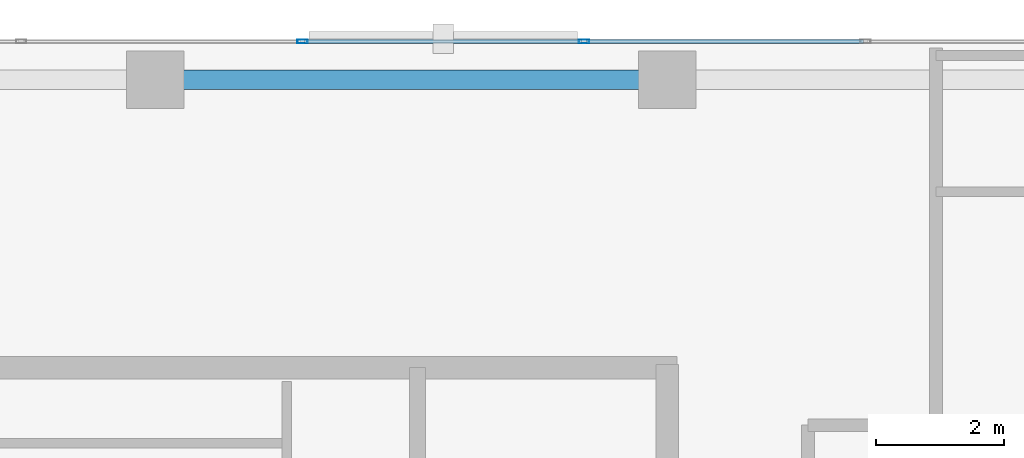
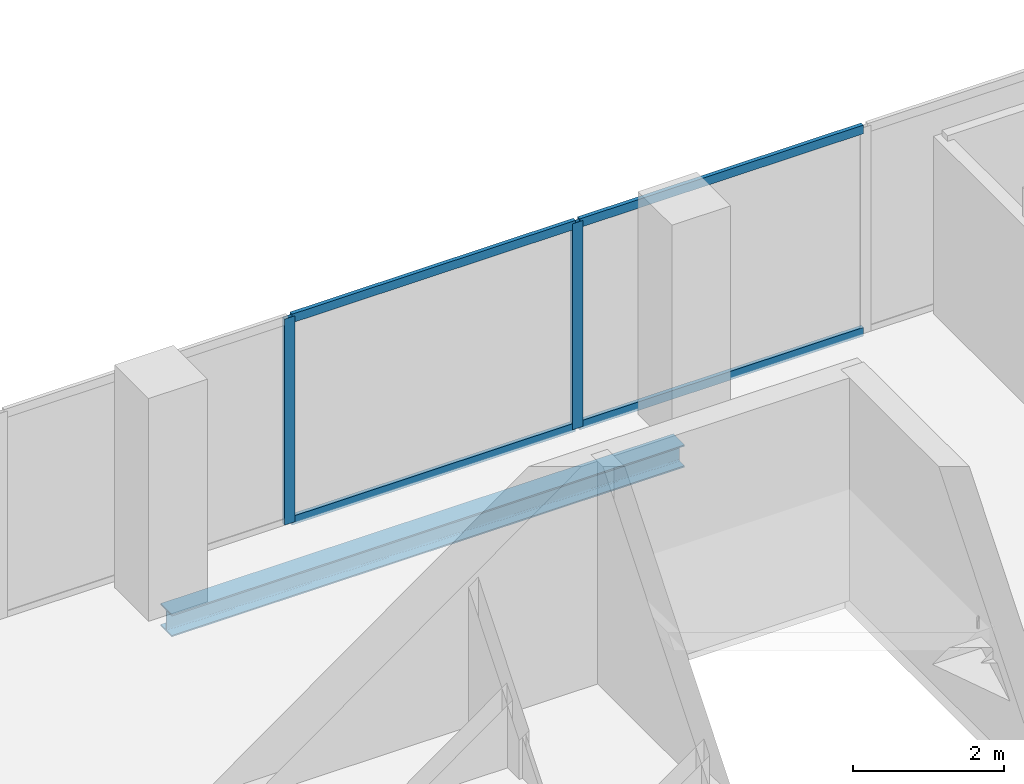
# One storey, part 24 of 34: 6 members, 1 beam, 1 element without a shape of its own.
"""IFC4 building model written with IfcOpenShell, lengths in metres."""

import ifcopenshell
import ifcopenshell.guid

model = None  # the IFC model being written
_history = None  # IfcOwnerHistory: only IFC2X3 demands one
_inside = {}  # id of a spatial element -> (the spatial element, [elements in it])
_under = {}  # id of a project, library or spatial element -> (it, [spatial elements below it])
_declared = {}  # id of a project -> (the project, [libraries it declares])
_typed = {}  # id of a type object -> (the type object, [elements of that type])
_made_of = {}  # id of a material, layer set ... -> (it, [elements and type objects made of it])


def new_model(schema):
    """Start an empty IFC model of exactly this schema.

    Asked for "IFC4X3", IfcOpenShell would pick the latest addendum, in which some entities
    have other attributes; the version numbers below select the first issue.
    IFC2X3 requires an IfcOwnerHistory on every rooted entity: one is made here for all.
    """
    global model, _history
    if schema == "IFC4X3":
        model = ifcopenshell.file(schema_version=(4, 3, 0, 0))
    else:
        model = ifcopenshell.file(schema=schema)
    _inside.clear()
    _under.clear()
    _declared.clear()
    _typed.clear()
    _made_of.clear()
    _history = None
    if model.schema == "IFC2X3":
        org = make("IfcOrganization", Name="unknown")
        user = make(
            "IfcPersonAndOrganization",
            ThePerson=make("IfcPerson", FamilyName="unknown"),
            TheOrganization=org,
        )
        app = make(
            "IfcApplication",
            ApplicationDeveloper=org,
            Version="unknown",
            ApplicationFullName="unknown",
            ApplicationIdentifier="unknown",
        )
        _history = make(
            "IfcOwnerHistory",
            OwningUser=user,
            OwningApplication=app,
            ChangeAction="ADDED",
            CreationDate=0,
        )
    return model


def make(cls, **values):
    """One entity of the class cls with the attributes given. An attribute that is None is left unset."""
    return model.create_entity(
        cls, **{name: value for name, value in values.items() if value is not None}
    )


def rooted(cls, **values):
    """An entity with a GlobalId (a new one), such as an element, a storey or a relation."""
    return make(cls, GlobalId=ifcopenshell.guid.new(), OwnerHistory=_history, **values)


def si_unit(unit_type, name, prefix=None):
    """IfcSIUnit, for example si_unit("LENGTHUNIT", "METRE", prefix="MILLI")."""
    return make("IfcSIUnit", UnitType=unit_type, Prefix=prefix, Name=name)


def assignment(units):
    """IfcUnitAssignment: the units of a project."""
    return None if units is None else make("IfcUnitAssignment", Units=units)


def point(xyz):
    """IfcCartesianPoint."""
    return None if xyz is None else make("IfcCartesianPoint", Coordinates=xyz)


def direction(xyz):
    """IfcDirection."""
    return None if xyz is None else make("IfcDirection", DirectionRatios=xyz)


def frame(location, z_axis=None, x_axis=None):
    """IfcAxis2Placement3D, a coordinate frame: its origin and axes. An axis left out is left unset."""
    return make(
        "IfcAxis2Placement3D",
        Location=point(location),
        Axis=direction(z_axis),
        RefDirection=direction(x_axis),
    )


def frame_2d(location, x_axis=None):
    """IfcAxis2Placement2D, a coordinate frame in the plane: its origin and x axis."""
    return make(
        "IfcAxis2Placement2D", Location=point(location), RefDirection=direction(x_axis)
    )


def origin():
    """The frame at (0, 0, 0) with its axes left unset."""
    return frame((0.0, 0.0, 0.0))


def origin_2d():
    """The frame at (0, 0) in the plane with its x axis left unset."""
    return frame_2d((0.0, 0.0))


def place(relative_to, where):
    """IfcLocalPlacement: puts the frame where relative to a parent placement (None: the world)."""
    return make(
        "IfcLocalPlacement", PlacementRelTo=relative_to, RelativePlacement=where
    )


def context(
    kind, dimensions, precision=None, world=None, true_north=None, identifier=None
):
    """IfcGeometricRepresentationContext, for example the 3D "Model" context."""
    return make(
        "IfcGeometricRepresentationContext",
        ContextIdentifier=identifier,
        ContextType=kind,
        CoordinateSpaceDimension=dimensions,
        Precision=precision,
        WorldCoordinateSystem=world,
        TrueNorth=true_north,
    )


def subcontext(parent, identifier, kind, view, scale=None):
    """IfcGeometricRepresentationSubContext, for example "Body" below "Model"."""
    return make(
        "IfcGeometricRepresentationSubContext",
        ContextIdentifier=identifier,
        ContextType=kind,
        ParentContext=parent,
        TargetScale=scale,
        TargetView=view,
    )


def project(units=None, contexts=None):
    """IfcProject with its units and contexts."""
    return rooted(
        "IfcProject",
        Name="project",
        RepresentationContexts=contexts,
        UnitsInContext=assignment(units),
    )


def spatial(cls, under=None, at=None, **own):
    """A site, building, storey or space (cls), placed at a placement, below another one or the project."""
    s = rooted(cls, ObjectPlacement=at, **own)
    if under is not None:
        _under.setdefault(under.id(), (under, []))[1].append(s)
    return s


def profile(cls, at=None, kind="AREA", **sizes):
    """A parametric profile (cls). Its sizes go by their IFC names, for example OverallWidth=200.0."""
    return make(cls, ProfileType=kind, Position=at, **sizes)


def hollow_rectangle(**sizes):
    """IfcRectangleHollowProfileDef."""
    return profile("IfcRectangleHollowProfileDef", **sizes)


def i_section(**sizes):
    """IfcIShapeProfileDef."""
    return profile("IfcIShapeProfileDef", **sizes)


def extrude(swept, where, along, depth):
    """IfcExtrudedAreaSolid: the profile swept, set in the frame where, extruded along a direction by depth."""
    return make(
        "IfcExtrudedAreaSolid",
        SweptArea=swept,
        Position=where,
        ExtrudedDirection=direction(along),
        Depth=depth,
    )


def shape(context_of_items, identifier, shape_type, items):
    """IfcShapeRepresentation: the items that make up one representation, for example the "Body"."""
    return make(
        "IfcShapeRepresentation",
        ContextOfItems=context_of_items,
        RepresentationIdentifier=identifier,
        RepresentationType=shape_type,
        Items=items,
    )


def material(Name=None, Category=None):
    """IfcMaterial."""
    return make("IfcMaterial", Name=Name, Category=Category)


def layer(
    of_material, thickness, ventilated=None, Name=None, Category=None, Priority=None
):
    """IfcMaterialLayer: one layer of a wall or slab, of a material (None: an air gap)."""
    return make(
        "IfcMaterialLayer",
        Material=of_material,
        LayerThickness=thickness,
        IsVentilated=ventilated,
        Name=Name,
        Category=Category,
        Priority=Priority,
    )


def layer_set(layers, Name=None):
    """IfcMaterialLayerSet."""
    return make("IfcMaterialLayerSet", MaterialLayers=layers, LayerSetName=Name)


def material_profile(
    of_material, cross_section, Name=None, Category=None, Priority=None
):
    """IfcMaterialProfile: a cross section and its material."""
    return make(
        "IfcMaterialProfile",
        Name=Name,
        Material=of_material,
        Profile=cross_section,
        Priority=Priority,
        Category=Category,
    )


def profile_set(profiles, Name=None, composite=None):
    """IfcMaterialProfileSet."""
    return make(
        "IfcMaterialProfileSet",
        Name=Name,
        MaterialProfiles=profiles,
        CompositeProfile=composite,
    )


def made_of(thing, what):
    """Note that an element or type object is made of a material, layer set ...; save() writes the relation."""
    if what is not None:
        _made_of.setdefault(what.id(), (what, []))[1].append(thing)
    return thing


def type_object(cls, material=None, **own):
    """A type object (cls), such as IfcWallType, which elements share."""
    return made_of(rooted(cls, **own), material)


def element(
    cls,
    number,
    at=None,
    inside=None,
    cuts=None,
    type_object=None,
    material=None,
    context=None,
    identifier="Body",
    shape_type=None,
    held_by="IfcProductDefinitionShape",
    body=None,
    shapes=None,
    **own,
):
    """One element of the class cls, such as IfcWall. Its Tag is "e" and its number.

    at: its placement. inside: the storey or other place that contains it. cuts: it is an
    opening in that element (IfcRelVoidsElement). A single representation is given by context,
    identifier, shape_type and body (its items); several are given by shapes. held_by: the class
    of the entity that holds the representations. save() writes the other relations.
    """
    e = rooted(cls, Tag="e%d" % number, ObjectPlacement=at, **own)
    if body is not None:
        shapes = [shape(context, identifier, shape_type, body)]
    if shapes is not None:
        e.Representation = make(held_by, Representations=shapes)
    if inside is not None:
        _inside.setdefault(inside.id(), (inside, []))[1].append(e)
    if cuts is not None:
        rooted(
            "IfcRelVoidsElement", RelatingBuildingElement=cuts, RelatedOpeningElement=e
        )
    if type_object is not None:
        _typed.setdefault(type_object.id(), (type_object, []))[1].append(e)
    return made_of(e, material)


def aggregate(whole, parts):
    """IfcRelAggregates: a whole, such as a stair, and the parts it consists of."""
    return rooted("IfcRelAggregates", RelatingObject=whole, RelatedObjects=parts)


def save(model, path):
    """Write the relations noted so far, then the file.

    IfcRelAggregates (storeys below a building ...), IfcRelContainedInSpatialStructure (elements
    in a storey), IfcRelDefinesByType, IfcRelAssociatesMaterial and IfcRelDeclares: one each for
    every whole, place, type object, material and project.
    """
    for whole, parts in _under.values():
        aggregate(whole, parts)
    for where, things in _inside.values():
        rooted(
            "IfcRelContainedInSpatialStructure",
            RelatedElements=things,
            RelatingStructure=where,
        )
    for kind, things in _typed.values():
        rooted("IfcRelDefinesByType", RelatedObjects=things, RelatingType=kind)
    for what, things in _made_of.values():
        rooted("IfcRelAssociatesMaterial", RelatedObjects=things, RelatingMaterial=what)
    for by, libraries in _declared.values():
        rooted("IfcRelDeclares", RelatingContext=by, RelatedDefinitions=libraries)
    model.write(path)


model = new_model("IFC4")

# Units and contexts
model_context = context("Model", 3, precision=1e-05, world=origin(), true_north=direction((0.0, 1.0)))
body_context = subcontext(model_context, "Body", "Model", "MODEL_VIEW")
ifc_project = project(units=[si_unit("LENGTHUNIT", "METRE"), si_unit("AREAUNIT", "SQUARE_METRE"), si_unit("VOLUMEUNIT", "CUBIC_METRE"), si_unit("PLANEANGLEUNIT", "RADIAN"), si_unit("MASSUNIT", "GRAM", prefix="KILO")], contexts=[model_context])

# Site, building, storey
site_placement = place(None, origin())
site = spatial("IfcSite", under=ifc_project, at=site_placement, CompositionType="ELEMENT")
building_placement = place(site_placement, origin())
building = spatial("IfcBuilding", under=site, at=building_placement, Name="Catumbela Crestline Tower", CompositionType="ELEMENT")
storey_placement = place(building_placement, frame((0.0, 0.0, 111.6)))
storey = spatial("IfcBuildingStorey", under=building, at=storey_placement, Name="L28", CompositionType="ELEMENT", Elevation=111.6)

# Curtain wall, members
ifc_material_1 = material(Name="Aluminium alloy AW-6060-T66", Category="aluminium")
ifc_layer = layer(ifc_material_1, 0.18, Name="Aluminium alloy AW-6060-T66")
ifc_layer_set = layer_set([ifc_layer], Name="Aluminium alloy AW-6060-T66")
curtain_wall_type = type_object("IfcCurtainWallType", Name="CWU-Z2", PredefinedType="USERDEFINED", material=ifc_layer_set)
curtain_wall_placement = place(storey_placement, origin())
curtain_wall = element("IfcCurtainWall", 1, at=curtain_wall_placement, inside=storey, type_object=curtain_wall_type, Name="L28 Unitised Curtain Wall CW-L28-E7S1", ObjectType="UNITISED", PredefinedType="USERDEFINED")
ifc_material_profile_1 = material_profile(ifc_material_1, hollow_rectangle(XDim=0.06, YDim=0.16, WallThickness=0.004, at=origin_2d()), Name="ALU 160x60x4")
ifc_profile_set_1 = profile_set([ifc_material_profile_1], Name="Aluminium alloy AW-6060-T66")
member_type_1 = type_object("IfcMemberType", Name="MUL-160X60", PredefinedType="MULLION", material=ifc_profile_set_1)
member_1_placement = place(storey_placement, frame((38.7, 48.0, 0.0), z_axis=(0.0, 0.0, 1.0), x_axis=(0.0, -1.0, 0.0)))
member_1 = element("IfcMember", 2, at=member_1_placement, type_object=member_type_1, Name="CWU-Z2 mullion 3", PredefinedType="MULLION", context=body_context, shape_type="SweptSolid", body=[
    extrude(hollow_rectangle(XDim=0.06, YDim=0.16, WallThickness=0.004, at=origin_2d()), origin(), (0.0, 0.0, 1.0), 3.33),
])
member_2_placement = place(storey_placement, frame((34.3, 48.0, 0.0), z_axis=(0.0, 0.0, 1.0), x_axis=(0.0, -1.0, 0.0)))
member_2 = element("IfcMember", 3, at=member_2_placement, type_object=member_type_1, Name="CWU-Z2 mullion 4", PredefinedType="MULLION", context=body_context, shape_type="SweptSolid", body=[
    extrude(hollow_rectangle(XDim=0.06, YDim=0.16, WallThickness=0.004, at=origin_2d()), origin(), (0.0, 0.0, 1.0), 3.33),
])

# Beam
ifc_material_2 = material(Name="Structural steel S355J2", Category="steel")
ifc_material_profile_2 = material_profile(ifc_material_2, i_section(OverallWidth=0.3, OverallDepth=0.36, WebThickness=0.0125, FlangeThickness=0.0225, FilletRadius=0.027, at=origin_2d()), Name="HEB 360")
ifc_profile_set_2 = profile_set([ifc_material_profile_2], Name="Structural steel S355J2")
beam_type = type_object("IfcBeamType", Name="BS-HEB360", PredefinedType="SPANDREL", material=ifc_profile_set_2)
beam_placement = place(storey_placement, frame((32.08, 47.4, -0.44), z_axis=(1.0, 0.0, 0.0), x_axis=(0.0, 1.0, 0.0)))
element("IfcBeam", 4, at=beam_placement, inside=storey, type_object=beam_type, Name="L28 Spandrel SP-L28-NF20", PredefinedType="SPANDREL", context=body_context, shape_type="SweptSolid", body=[
    extrude(i_section(OverallWidth=0.3, OverallDepth=0.36, WebThickness=0.0125, FlangeThickness=0.0225, FilletRadius=0.027, at=origin_2d()), origin(), (0.0, 0.0, 1.0), 7.84),
])

# Member
ifc_material_profile_3 = material_profile(ifc_material_1, hollow_rectangle(XDim=0.06, YDim=0.14, WallThickness=0.004, at=origin_2d()), Name="ALU 140x60x4")
ifc_profile_set_3 = profile_set([ifc_material_profile_3], Name="Aluminium alloy AW-6060-T66")
member_type_2 = type_object("IfcMemberType", Name="TRN-140X60", PredefinedType="USERDEFINED", material=ifc_profile_set_3)
member_3_placement = place(storey_placement, frame((43.0675, 48.0, 0.03), z_axis=(-1.0, 0.0, 0.0), x_axis=(0.0, -1.0, 0.0)))
member_3 = element("IfcMember", 5, at=member_3_placement, type_object=member_type_2, Name="CWU-Z2 transom 2.1", ObjectType="TRANSOM", PredefinedType="USERDEFINED", context=body_context, shape_type="SweptSolid", body=[
    extrude(hollow_rectangle(XDim=0.06, YDim=0.14, WallThickness=0.004, at=origin_2d()), origin(), (0.0, 0.0, 1.0), 4.335),
])

member_4_placement = place(storey_placement, frame((43.0675, 48.0, 3.3), z_axis=(-1.0, 0.0, 0.0), x_axis=(0.0, -1.0, 0.0)))
member_4 = element("IfcMember", 6, at=member_4_placement, type_object=member_type_2, Name="CWU-Z2 transom 2.2", ObjectType="TRANSOM", PredefinedType="USERDEFINED", context=body_context, shape_type="SweptSolid", body=[
    extrude(hollow_rectangle(XDim=0.06, YDim=0.14, WallThickness=0.004, at=origin_2d()), origin(), (0.0, 0.0, 1.0), 4.335),
])

member_5_placement = place(storey_placement, frame((38.6675, 48.0, 0.03), z_axis=(-1.0, 0.0, 0.0), x_axis=(0.0, -1.0, 0.0)))
member_5 = element("IfcMember", 7, at=member_5_placement, type_object=member_type_2, Name="CWU-Z2 transom 3.1", ObjectType="TRANSOM", PredefinedType="USERDEFINED", context=body_context, shape_type="SweptSolid", body=[
    extrude(hollow_rectangle(XDim=0.06, YDim=0.14, WallThickness=0.004, at=origin_2d()), origin(), (0.0, 0.0, 1.0), 4.335),
])

member_6_placement = place(storey_placement, frame((38.6675, 48.0, 3.3), z_axis=(-1.0, 0.0, 0.0), x_axis=(0.0, -1.0, 0.0)))
member_6 = element("IfcMember", 8, at=member_6_placement, type_object=member_type_2, Name="CWU-Z2 transom 3.2", ObjectType="TRANSOM", PredefinedType="USERDEFINED", context=body_context, shape_type="SweptSolid", body=[
    extrude(hollow_rectangle(XDim=0.06, YDim=0.14, WallThickness=0.004, at=origin_2d()), origin(), (0.0, 0.0, 1.0), 4.335),
])

aggregate(curtain_wall, [member_1, member_2, member_3, member_4, member_5, member_6])

save(model, "model.ifc")
